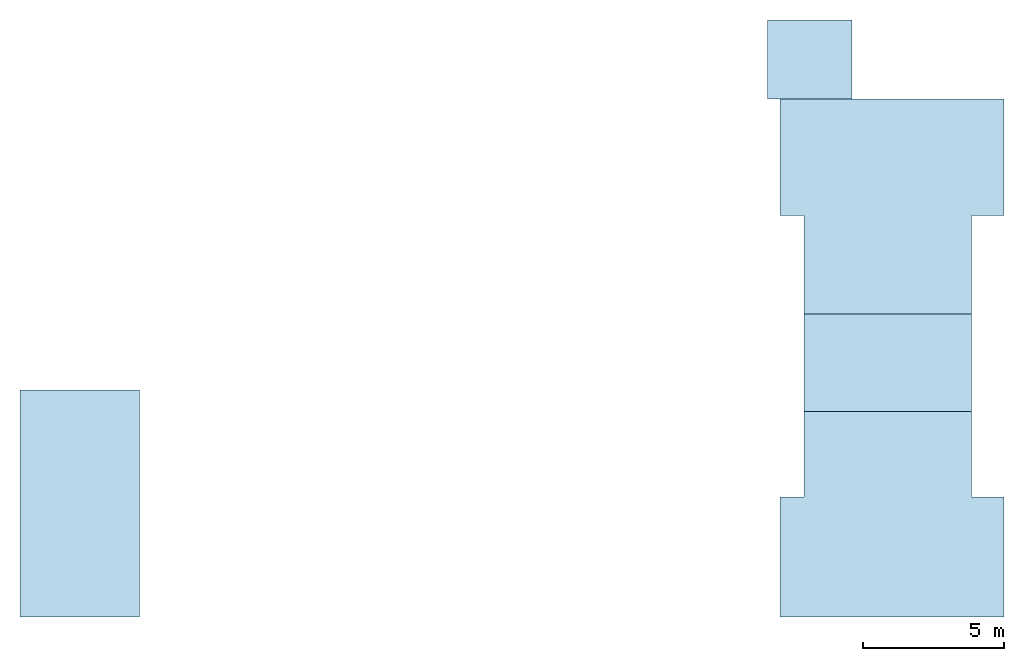
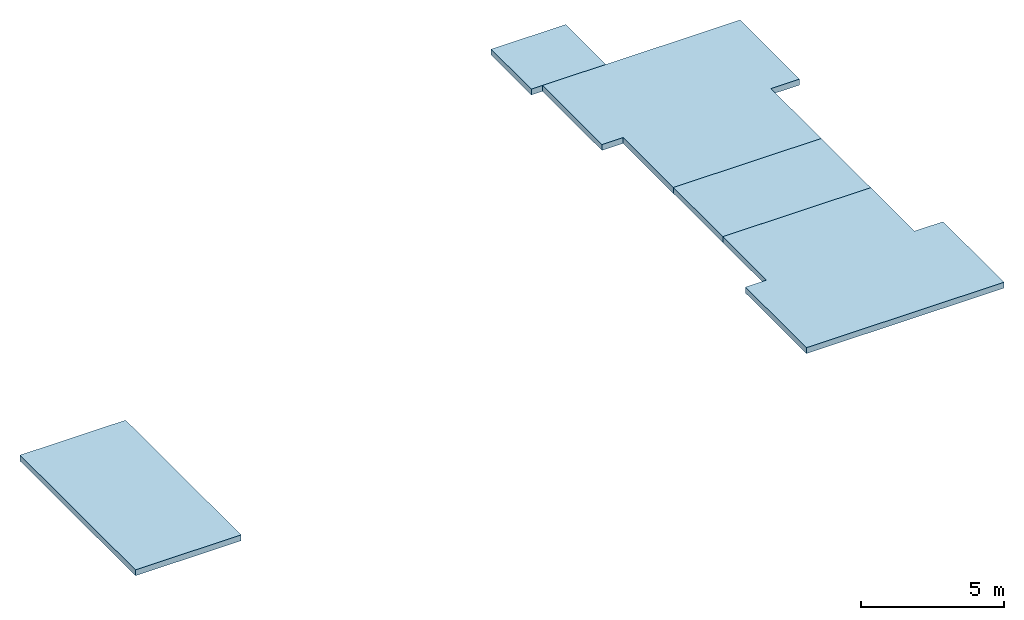
# One storey: 5 slabs.
"""IFC4 building model written with IfcOpenShell, lengths in metres."""

from ifc_helpers import new_model, si_unit, direction, frame, origin, place, context, subcontext, project, spatial, polyline, outline, extrude, material, layer, layer_set, type_object, element, save


model = new_model("IFC4")

# Units and contexts
model_context = context("Model", 3, precision=1e-05, world=origin(), true_north=direction((0.0, 1.0)))
body_context = subcontext(model_context, "Body", "Model", "MODEL_VIEW")
ifc_project = project(units=[si_unit("LENGTHUNIT", "METRE"), si_unit("AREAUNIT", "SQUARE_METRE"), si_unit("VOLUMEUNIT", "CUBIC_METRE"), si_unit("PLANEANGLEUNIT", "RADIAN"), si_unit("MASSUNIT", "GRAM", prefix="KILO")], contexts=[model_context])

# Site, building, storey
site_placement = place(None, origin())
site = spatial("IfcSite", under=ifc_project, at=site_placement, CompositionType="ELEMENT")
building_placement = place(site_placement, origin())
building = spatial("IfcBuilding", under=site, at=building_placement, Name="Merrow Basin Faculty of Sciences", CompositionType="ELEMENT")
storey_placement = place(building_placement, frame((0.0, 0.0, 43.25)))
storey = spatial("IfcBuildingStorey", under=building, at=storey_placement, Name="Roof head-house", CompositionType="ELEMENT", Elevation=43.25)

# Slabs
ifc_material_1 = material(Name="Concrete C40/50", Category="concrete")
ifc_layer_1 = layer(ifc_material_1, 0.25)
ifc_layer_set_1 = layer_set([ifc_layer_1], Name="Plant roof slab 250 Concrete C40/50")
slab_type_1 = type_object("IfcSlabType", Name="Plant roof slab 250 Concrete C40/50", PredefinedType="ROOF", material=ifc_layer_set_1)
slab_1_placement = place(storey_placement, origin())
element("IfcSlab", 1, at=slab_1_placement, inside=storey, type_object=slab_type_1, Name="SL13 head-house roof Roof 002", PredefinedType="ROOF", context=body_context, shape_type="SweptSolid", body=[
    extrude(outline(polyline([(44.800048828125, 160.199951171875), (52.75, 160.199951171875), (52.75, 156.050048828125), (51.60009765625, 156.050048828125), (51.60009765625, 152.550048828125), (48.75, 152.550048828125), (48.5, 152.550048828125), (45.64990234375, 152.550048828125), (45.64990234375, 156.050048828125), (44.800048828125, 156.050048828125), (44.800048828125, 160.199951171875)])), origin(), (0.0, 0.0, 1.0), 0.25),
])
slab_2_placement = place(storey_placement, origin())
element("IfcSlab", 2, at=slab_2_placement, inside=storey, type_object=slab_type_1, Name="SL13 head-house roof Roof 003", PredefinedType="ROOF", context=body_context, shape_type="SweptSolid", body=[
    extrude(outline(polyline([(44.800048828125, 146.050048828125), (45.64990234375, 146.050048828125), (45.64990234375, 149.10009765625), (48.5, 149.10009765625), (48.75, 149.10009765625), (51.60009765625, 149.10009765625), (51.60009765625, 146.050048828125), (52.75, 146.050048828125), (52.75, 141.800048828125), (44.800048828125, 141.800048828125), (44.800048828125, 146.050048828125)])), origin(), (0.0, 0.0, 1.0), 0.25),
])
slab_3_placement = place(storey_placement, origin())
element("IfcSlab", 3, at=slab_3_placement, inside=storey, type_object=slab_type_1, Name="SL13 head-house roof Roof 004", PredefinedType="ROOF", context=body_context, shape_type="SweptSolid", body=[
    extrude(outline(polyline([(17.800048828125, 149.85009765625), (22.050048828125, 149.85009765625), (22.050048828125, 141.800048828125), (17.800048828125, 141.800048828125), (17.800048828125, 149.85009765625)])), origin(), (0.0, 0.0, 1.0), 0.25),
])
ifc_material_2 = material(Name="Concrete C40/50", Category="concrete")
ifc_layer_2 = layer(ifc_material_2, 0.25)
ifc_layer_set_2 = layer_set([ifc_layer_2], Name="Roof lobby slab 250 Concrete C40/50")
slab_type_2 = type_object("IfcSlabType", Name="Roof lobby slab 250 Concrete C40/50", PredefinedType="ROOF", material=ifc_layer_set_2)
slab_4_placement = place(storey_placement, origin())
element("IfcSlab", 4, at=slab_4_placement, inside=storey, type_object=slab_type_2, Name="Roof lobby roof", PredefinedType="ROOF", context=body_context, shape_type="SweptSolid", body=[
    extrude(outline(polyline([(44.35009765625, 160.199951171875), (47.35009765625, 160.199951171875), (47.35009765625, 163.0), (44.35009765625, 163.0), (44.35009765625, 160.199951171875)])), origin(), (0.0, 0.0, 1.0), 0.25),
])
slab_5_placement = place(storey_placement, origin())
element("IfcSlab", 5, at=slab_5_placement, inside=storey, type_object=slab_type_2, Name="Roof lift lobby roof", PredefinedType="ROOF", context=body_context, shape_type="SweptSolid", body=[
    extrude(outline(polyline([(45.64990234375, 149.10009765625), (51.60009765625, 149.10009765625), (51.60009765625, 152.550048828125), (45.64990234375, 152.550048828125), (45.64990234375, 149.10009765625)])), origin(), (0.0, 0.0, 1.0), 0.25),
])

save(model, "model.ifc")
